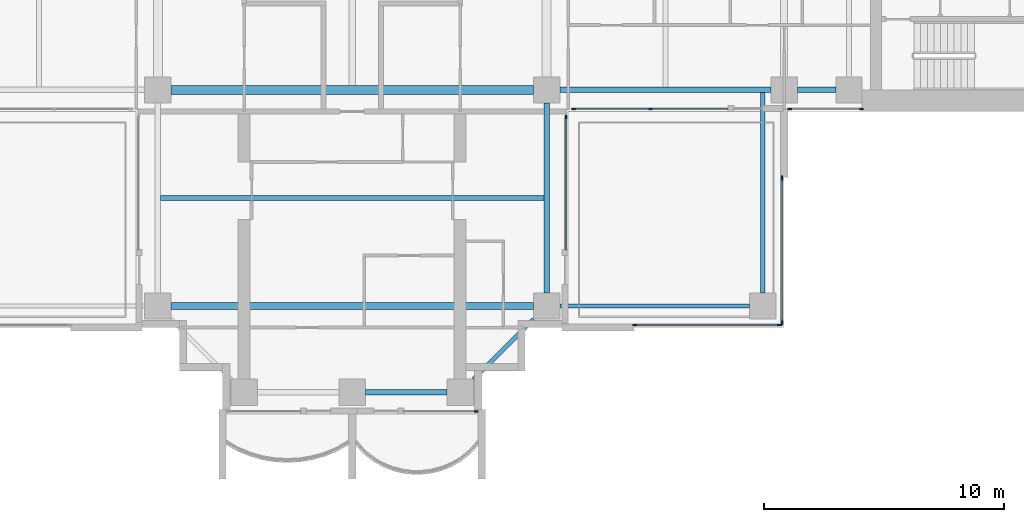
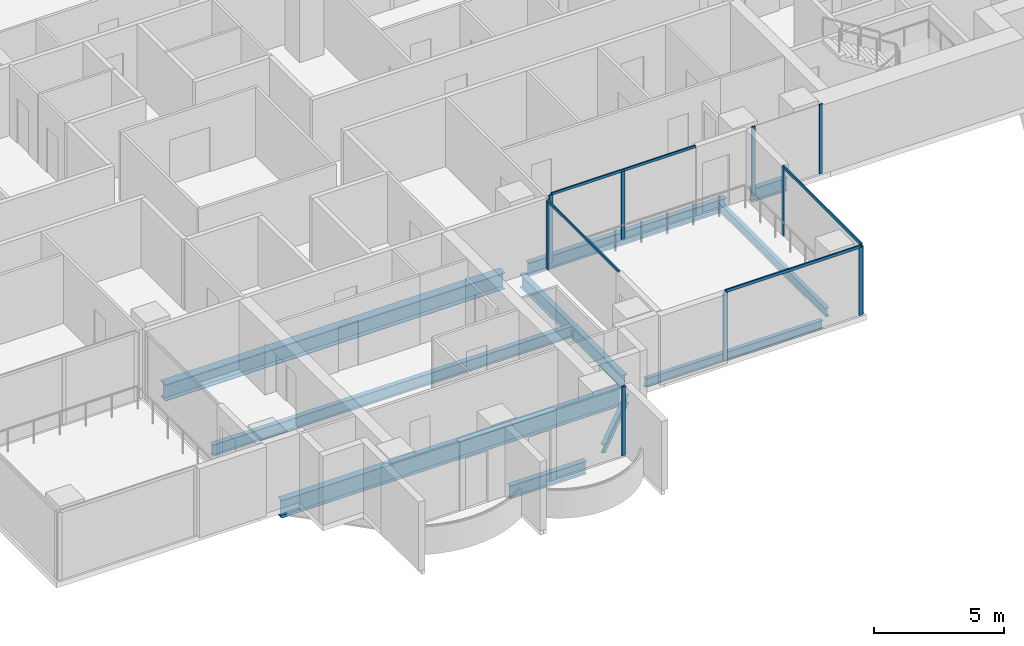
# One storey, part 3 of 19: 14 members, 10 beams, 6 elements without a shape of their own.
"""IFC4 building model written with IfcOpenShell, lengths in metres."""

from ifc_helpers import new_model, si_unit, direction, frame, origin, origin_2d, place, context, subcontext, project, spatial, rectangle, i_section, extrude, material, material_profile, profile_set, type_object, element, aggregate, save


model = new_model("IFC4")

# Units and contexts
model_context = context("Model", 3, precision=1e-05, world=origin(), true_north=direction((0.0, 1.0)))
body_context = subcontext(model_context, "Body", "Model", "MODEL_VIEW")
ifc_project = project(units=[si_unit("LENGTHUNIT", "METRE"), si_unit("AREAUNIT", "SQUARE_METRE"), si_unit("VOLUMEUNIT", "CUBIC_METRE"), si_unit("PLANEANGLEUNIT", "RADIAN"), si_unit("MASSUNIT", "GRAM", prefix="KILO")], contexts=[model_context])

# Site, building, storey
site_placement = place(None, origin())
site = spatial("IfcSite", under=ifc_project, at=site_placement, CompositionType="ELEMENT")
building_placement = place(site_placement, origin())
building = spatial("IfcBuilding", under=site, at=building_placement, Name="Perihelion Cross Residences", CompositionType="ELEMENT")
storey_placement = place(building_placement, frame((0.0, 0.0, 109.39990234375)))
storey = spatial("IfcBuildingStorey", under=building, at=storey_placement, Name="L25", CompositionType="ELEMENT", Elevation=109.39990234375)

# Curtain wall, member
ifc_material_1 = material(Name="Bronze anodised aluminium, tinted glazing", Category="aluminium")
curtain_wall_type_1 = type_object("IfcCurtainWallType", Name="CW1", PredefinedType="NOTDEFINED", material=ifc_material_1)
curtain_wall_1_placement = place(storey_placement, origin())
curtain_wall_1 = element("IfcCurtainWall", 1, at=curtain_wall_1_placement, inside=storey, type_object=curtain_wall_type_1, Name="Curtain wall CW1 L25 south tip south bay 2", PredefinedType="NOTDEFINED")
ifc_material_2 = material(Name="Bronze anodised aluminium", Category="aluminium")
ifc_material_profile_1 = material_profile(ifc_material_2, rectangle(XDim=0.06005859375, YDim=0.159912109375, at=origin_2d()), Name="CW1 mullion")
ifc_profile_set_1 = profile_set([ifc_material_profile_1], Name="Bronze anodised aluminium")
member_type_1 = type_object("IfcMemberType", Name="CW1 mullion", PredefinedType="MULLION", material=ifc_profile_set_1)
member_1_placement = place(storey_placement, frame((5.169921875, -21.5, 0.0), z_axis=(0.0, 0.0, 1.0), x_axis=(0.0, 1.0, 0.0)))
member_1 = element("IfcMember", 2, at=member_1_placement, type_object=member_type_1, Name="CW1 mullion 2", PredefinedType="MULLION", context=body_context, shape_type="SweptSolid", body=[
    extrude(rectangle(XDim=0.06005859375, YDim=0.159912109375, at=origin_2d()), origin(), (0.0, 0.0, 1.0), 3.25),
])
aggregate(curtain_wall_1, [member_1])

curtain_wall_2_placement = place(storey_placement, origin())
curtain_wall_2 = element("IfcCurtainWall", 3, at=curtain_wall_2_placement, inside=storey, type_object=curtain_wall_type_1, Name="Curtain wall CW1 L25 south side east bay 1", PredefinedType="NOTDEFINED")
member_2_placement = place(storey_placement, frame((8.89990234375, -9.22998046875, 0.0), z_axis=(0.0, 0.0, 1.0), x_axis=(-1.0, 0.0, 0.0)))
member_2 = element("IfcMember", 4, at=member_2_placement, type_object=member_type_1, Name="CW1 mullion 2", PredefinedType="MULLION", context=body_context, shape_type="SweptSolid", body=[
    extrude(rectangle(XDim=0.06005859375, YDim=0.159912109375, at=origin_2d()), origin(), (0.0, 0.0, 1.0), 3.190185546875),
])

# Curtain wall, members
curtain_wall_3_placement = place(storey_placement, origin())
curtain_wall_3 = element("IfcCurtainWall", 5, at=curtain_wall_3_placement, inside=storey, type_object=curtain_wall_type_1, Name="Curtain wall CW1 L25 east side south bay 1", PredefinedType="NOTDEFINED")
member_3_placement = place(storey_placement, frame((9.22998046875, -8.89990234375, 0.0), z_axis=(0.0, 0.0, 1.0), x_axis=(0.0, 1.0, 0.0)))
member_3 = element("IfcMember", 6, at=member_3_placement, type_object=member_type_1, Name="CW1 mullion 1", PredefinedType="MULLION", context=body_context, shape_type="SweptSolid", body=[
    extrude(rectangle(XDim=0.06005859375, YDim=0.159912109375, at=origin_2d()), origin(), (0.0, 0.0, 1.0), 3.190185546875),
])
member_4_placement = place(storey_placement, frame((12.425048828125, -8.89990234375, 0.0), z_axis=(0.0, 0.0, 1.0), x_axis=(0.0, 1.0, 0.0)))
member_4 = element("IfcMember", 7, at=member_4_placement, type_object=member_type_1, Name="CW1 mullion 2", PredefinedType="MULLION", context=body_context, shape_type="SweptSolid", body=[
    extrude(rectangle(XDim=0.06005859375, YDim=0.159912109375, at=origin_2d()), origin(), (0.0, 0.0, 1.0), 3.190185546875),
])

curtain_wall_4_placement = place(storey_placement, origin())
curtain_wall_4 = element("IfcCurtainWall", 8, at=curtain_wall_4_placement, inside=storey, type_object=curtain_wall_type_1, Name="Curtain wall CW1 L25 east side south bay 2", PredefinedType="NOTDEFINED")
member_5_placement = place(storey_placement, frame((18.22998046875, -8.89990234375, 0.0), z_axis=(0.0, 0.0, 1.0), x_axis=(0.0, 1.0, 0.0)))
member_5 = element("IfcMember", 9, at=member_5_placement, type_object=member_type_1, Name="CW1 mullion 1", PredefinedType="MULLION", context=body_context, shape_type="SweptSolid", body=[
    extrude(rectangle(XDim=0.06005859375, YDim=0.159912109375, at=origin_2d()), origin(), (0.0, 0.0, 1.0), 3.25),
])
member_6_placement = place(storey_placement, frame((21.219970703125, -8.89990234375, 0.0), z_axis=(0.0, 0.0, 1.0), x_axis=(0.0, 1.0, 0.0)))
member_6 = element("IfcMember", 10, at=member_6_placement, type_object=member_type_1, Name="CW1 mullion 2", PredefinedType="MULLION", context=body_context, shape_type="SweptSolid", body=[
    extrude(rectangle(XDim=0.06005859375, YDim=0.159912109375, at=origin_2d()), origin(), (0.0, 0.0, 1.0), 3.25),
])
aggregate(curtain_wall_4, [member_5, member_6])

# Member
ifc_material_3 = material(Name="Bronze anodised aluminium", Category="aluminium")
ifc_material_profile_2 = material_profile(ifc_material_3, rectangle(XDim=0.06005859375, YDim=0.1201171875, at=origin_2d()), Name="CW1 transom")
ifc_profile_set_2 = profile_set([ifc_material_profile_2], Name="Bronze anodised aluminium")
member_type_2 = type_object("IfcMemberType", Name="CW1 transom", PredefinedType="USERDEFINED", material=ifc_profile_set_2)
member_7_placement = place(storey_placement, frame((8.89990234375, -14.75, 3.22021484375), z_axis=(0.0, 1.0, 0.0), x_axis=(-1.0, 0.0, 0.0)))
member_7 = element("IfcMember", 11, at=member_7_placement, type_object=member_type_2, Name="CW1 head transom", ObjectType="TRANSOM", PredefinedType="USERDEFINED", context=body_context, shape_type="SweptSolid", body=[
    extrude(rectangle(XDim=0.06005859375, YDim=0.1201171875, at=origin_2d()), origin(), (0.0, 0.0, 1.0), 5.52001953125),
])

aggregate(curtain_wall_2, [member_2, member_7])

member_8_placement = place(storey_placement, frame((9.22998046875, -8.89990234375, 3.22021484375), z_axis=(1.0, 0.0, 0.0), x_axis=(0.0, 1.0, 0.0)))
member_8 = element("IfcMember", 12, at=member_8_placement, type_object=member_type_2, Name="CW1 head transom", ObjectType="TRANSOM", PredefinedType="USERDEFINED", context=body_context, shape_type="SweptSolid", body=[
    extrude(rectangle(XDim=0.06005859375, YDim=0.1201171875, at=origin_2d()), origin(), (0.0, 0.0, 1.0), 6.419921875),
])

aggregate(curtain_wall_3, [member_3, member_4, member_8])

# Curtain wall, members
ifc_material_4 = material(Name="Bronze anodised aluminium, tinted glazing", Category="aluminium")
curtain_wall_type_2 = type_object("IfcCurtainWallType", Name="CW4", PredefinedType="NOTDEFINED", material=ifc_material_4)
curtain_wall_5_placement = place(storey_placement, origin())
curtain_wall_5 = element("IfcCurtainWall", 13, at=curtain_wall_5_placement, inside=storey, type_object=curtain_wall_type_2, Name="Curtain wall CW4 L25 pocket south-east 1 1", PredefinedType="NOTDEFINED")
ifc_material_5 = material(Name="Bronze anodised aluminium", Category="aluminium")
ifc_material_profile_3 = material_profile(ifc_material_5, rectangle(XDim=0.06005859375, YDim=0.179931640625, at=origin_2d()), Name="CW4 mullion")
ifc_profile_set_3 = profile_set([ifc_material_profile_3], Name="Bronze anodised aluminium")
member_type_3 = type_object("IfcMemberType", Name="CW4 mullion", PredefinedType="MULLION", material=ifc_profile_set_3)
member_9_placement = place(storey_placement, frame((17.89990234375, -11.77001953125, 0.0), z_axis=(0.0, 0.0, 1.0), x_axis=(1.0, 0.0, 0.0)))
member_9 = element("IfcMember", 14, at=member_9_placement, type_object=member_type_3, Name="CW4 mullion 1", PredefinedType="MULLION", context=body_context, shape_type="SweptSolid", body=[
    extrude(rectangle(XDim=0.06005859375, YDim=0.179931640625, at=origin_2d()), origin(), (0.0, 0.0, 1.0), 3.190185546875),
])
member_10_placement = place(storey_placement, frame((17.89990234375, -17.800048828125, 0.0), z_axis=(0.0, 0.0, 1.0), x_axis=(1.0, 0.0, 0.0)))
member_10 = element("IfcMember", 15, at=member_10_placement, type_object=member_type_3, Name="CW4 mullion 2", PredefinedType="MULLION", context=body_context, shape_type="SweptSolid", body=[
    extrude(rectangle(XDim=0.06005859375, YDim=0.179931640625, at=origin_2d()), origin(), (0.0, 0.0, 1.0), 3.190185546875),
])

curtain_wall_6_placement = place(storey_placement, origin())
curtain_wall_6 = element("IfcCurtainWall", 16, at=curtain_wall_6_placement, inside=storey, type_object=curtain_wall_type_2, Name="Curtain wall CW4 L25 pocket south-east 1 2", PredefinedType="NOTDEFINED")
member_11_placement = place(storey_placement, frame((17.800048828125, -17.89990234375, 0.0), z_axis=(0.0, 0.0, 1.0), x_axis=(0.0, -1.0, 0.0)))
member_11 = element("IfcMember", 17, at=member_11_placement, type_object=member_type_3, Name="CW4 mullion 1", PredefinedType="MULLION", context=body_context, shape_type="SweptSolid", body=[
    extrude(rectangle(XDim=0.06005859375, YDim=0.179931640625, at=origin_2d()), origin(), (0.0, 0.0, 1.0), 3.190185546875),
])
member_12_placement = place(storey_placement, frame((11.77001953125, -17.89990234375, 0.0), z_axis=(0.0, 0.0, 1.0), x_axis=(0.0, -1.0, 0.0)))
member_12 = element("IfcMember", 18, at=member_12_placement, type_object=member_type_3, Name="CW4 mullion 2", PredefinedType="MULLION", context=body_context, shape_type="SweptSolid", body=[
    extrude(rectangle(XDim=0.06005859375, YDim=0.179931640625, at=origin_2d()), origin(), (0.0, 0.0, 1.0), 3.190185546875),
])

# Member
ifc_material_6 = material(Name="Bronze anodised aluminium", Category="aluminium")
ifc_material_profile_4 = material_profile(ifc_material_6, rectangle(XDim=0.06005859375, YDim=0.139892578125, at=origin_2d()), Name="CW4 transom")
ifc_profile_set_4 = profile_set([ifc_material_profile_4], Name="Bronze anodised aluminium")
member_type_4 = type_object("IfcMemberType", Name="CW4 transom", PredefinedType="USERDEFINED", material=ifc_profile_set_4)
member_13_placement = place(storey_placement, frame((17.89990234375, -11.77001953125, 3.22021484375), z_axis=(0.0, -1.0, 0.0), x_axis=(1.0, 0.0, 0.0)))
member_13 = element("IfcMember", 19, at=member_13_placement, type_object=member_type_4, Name="CW4 head transom", ObjectType="TRANSOM", PredefinedType="USERDEFINED", context=body_context, shape_type="SweptSolid", body=[
    extrude(rectangle(XDim=0.06005859375, YDim=0.139892578125, at=origin_2d()), origin(), (0.0, 0.0, 1.0), 6.030029296875),
])

aggregate(curtain_wall_5, [member_9, member_10, member_13])

member_14_placement = place(storey_placement, frame((17.800048828125, -17.89990234375, 3.22021484375), z_axis=(-1.0, 0.0, 0.0), x_axis=(0.0, -1.0, 0.0)))
member_14 = element("IfcMember", 20, at=member_14_placement, type_object=member_type_4, Name="CW4 head transom", ObjectType="TRANSOM", PredefinedType="USERDEFINED", context=body_context, shape_type="SweptSolid", body=[
    extrude(rectangle(XDim=0.06005859375, YDim=0.139892578125, at=origin_2d()), origin(), (0.0, 0.0, 1.0), 6.030029296875),
])

aggregate(curtain_wall_6, [member_11, member_12, member_14])

# Beams
ifc_material_7 = material(Name="Steel S355", Category="steel")
ifc_material_profile_5 = material_profile(ifc_material_7, i_section(OverallWidth=0.177978515625, OverallDepth=0.406005859375, WebThickness=0.0078125, FlangeThickness=0.0126953125, at=origin_2d()), Name="W410x60")
ifc_profile_set_5 = profile_set([ifc_material_profile_5], Name="Steel S355")
beam_type_1 = type_object("IfcBeamType", Name="Core edge beam W410x60", PredefinedType="BEAM", material=ifc_profile_set_5)
beam_1_placement = place(storey_placement, frame((17.10009765625, -8.214599609375, -0.452880859375), z_axis=(0.0, -1.0, 0.0), x_axis=(1.0, 0.0, 0.0)))
element("IfcBeam", 21, at=beam_1_placement, inside=storey, type_object=beam_type_1, Name="Core edge beam TB2 L25 corner no. 5", PredefinedType="BEAM", context=body_context, shape_type="SweptSolid", body=[
    extrude(i_section(OverallWidth=0.177978515625, OverallDepth=0.406005859375, WebThickness=0.0078125, FlangeThickness=0.0126953125, at=origin_2d()), origin(), (0.0, 0.0, 1.0), 8.33544921875),
])
beam_2_placement = place(storey_placement, frame((8.64990234375, -17.10009765625, -0.452880859375), z_axis=(1.0, 0.0, 0.0), x_axis=(0.0, 1.0, 0.0)))
element("IfcBeam", 22, at=beam_2_placement, inside=storey, type_object=beam_type_1, Name="Core edge beam TB2 L25 corner no. 6", PredefinedType="BEAM", context=body_context, shape_type="SweptSolid", body=[
    extrude(i_section(OverallWidth=0.177978515625, OverallDepth=0.406005859375, WebThickness=0.0078125, FlangeThickness=0.0126953125, at=origin_2d()), origin(), (0.0, 0.0, 1.0), 7.900146484375),
])
ifc_material_8 = material(Name="Steel S355", Category="steel")
ifc_material_profile_6 = material_profile(ifc_material_8, i_section(OverallWidth=0.22900390625, OverallDepth=0.612060546875, WebThickness=0.011962890625, FlangeThickness=0.01953125, at=origin_2d()), Name="W610x125")
ifc_profile_set_6 = profile_set([ifc_material_profile_6], Name="Steel S355")
beam_type_2 = type_object("IfcBeamType", Name="Edge beam W610x125", PredefinedType="SPANDREL", material=ifc_profile_set_6)
beam_3_placement = place(storey_placement, frame((0.550048828125, -20.699951171875, -0.555908203125), z_axis=(1.0, 0.0, 0.0), x_axis=(0.0, 1.0, 0.0)))
element("IfcBeam", 23, at=beam_3_placement, inside=storey, type_object=beam_type_2, Name="Edge beam SB3 L25 no. 9", PredefinedType="SPANDREL", context=body_context, shape_type="SweptSolid", body=[
    extrude(i_section(OverallWidth=0.22900390625, OverallDepth=0.612060546875, WebThickness=0.011962890625, FlangeThickness=0.01953125, at=origin_2d()), origin(), (0.0, 0.0, 1.0), 3.39990234375),
])
beam_4_placement = place(storey_placement, frame((8.10009765625, -16.550048828125, -0.555908203125), z_axis=(0.0, 1.0, 0.0), x_axis=(-1.0, 0.0, 0.0)))
element("IfcBeam", 24, at=beam_4_placement, inside=storey, type_object=beam_type_2, Name="Edge beam SB3 L25 no. 15", PredefinedType="SPANDREL", context=body_context, shape_type="SweptSolid", body=[
    extrude(i_section(OverallWidth=0.22900390625, OverallDepth=0.612060546875, WebThickness=0.011962890625, FlangeThickness=0.01953125, at=origin_2d()), origin(), (0.0, 0.0, 1.0), 7.900146484375),
])
beam_5_placement = place(storey_placement, frame((8.64990234375, -8.10009765625, -0.555908203125), z_axis=(1.0, 0.0, 0.0), x_axis=(0.0, 1.0, 0.0)))
element("IfcBeam", 25, at=beam_5_placement, inside=storey, type_object=beam_type_2, Name="Edge beam SB3 L25 no. 16", PredefinedType="SPANDREL", context=body_context, shape_type="SweptSolid", body=[
    extrude(i_section(OverallWidth=0.22900390625, OverallDepth=0.612060546875, WebThickness=0.011962890625, FlangeThickness=0.01953125, at=origin_2d()), origin(), (0.0, 0.0, 1.0), 8.800048828125),
])
beam_6_placement = place(storey_placement, frame((18.550048828125, -8.10009765625, -0.555908203125), z_axis=(1.0, 0.0, 0.0), x_axis=(0.0, 1.0, 0.0)))
element("IfcBeam", 26, at=beam_6_placement, inside=storey, type_object=beam_type_2, Name="Edge beam SB3 L25 no. 11", PredefinedType="SPANDREL", context=body_context, shape_type="SweptSolid", body=[
    extrude(i_section(OverallWidth=0.22900390625, OverallDepth=0.612060546875, WebThickness=0.011962890625, FlangeThickness=0.01953125, at=origin_2d()), origin(), (0.0, 0.0, 1.0), 1.599853515625),
])
ifc_material_9 = material(Name="Steel S355", Category="steel")
ifc_material_profile_7 = material_profile(ifc_material_9, i_section(OverallWidth=0.2919921875, OverallDepth=0.8359375, WebThickness=0.013916015625, FlangeThickness=0.018798828125, at=origin_2d()), Name="W840x176")
ifc_profile_set_7 = profile_set([ifc_material_profile_7], Name="Steel S355")
beam_type_3 = type_object("IfcBeamType", Name="Floor girder W840x176", PredefinedType="BEAM", material=ifc_profile_set_7)
beam_7_placement = place(storey_placement, frame((-7.550048828125, -17.10009765625, -0.66796875), z_axis=(1.0, 0.0, 0.0), x_axis=(0.0, 1.0, 0.0)))
element("IfcBeam", 27, at=beam_7_placement, inside=storey, type_object=beam_type_3, Name="Girder G3 L25 no. 3", PredefinedType="BEAM", context=body_context, shape_type="SweptSolid", body=[
    extrude(i_section(OverallWidth=0.2919921875, OverallDepth=0.8359375, WebThickness=0.013916015625, FlangeThickness=0.018798828125, at=origin_2d()), origin(), (0.0, 0.0, 1.0), 15.10009765625),
])
ifc_material_10 = material(Name="Steel S355", Category="steel")
ifc_material_profile_8 = material_profile(ifc_material_10, i_section(OverallWidth=0.208984375, OverallDepth=0.532958984375, WebThickness=0.01025390625, FlangeThickness=0.015625, at=origin_2d()), Name="W530x92")
ifc_profile_set_8 = profile_set([ifc_material_profile_8], Name="Steel S355")
beam_type_4 = type_object("IfcBeamType", Name="Floor joist W530x92", PredefinedType="JOIST", material=ifc_profile_set_8)
beam_8_placement = place(storey_placement, frame((-7.985595703125, -12.60009765625, -0.516357421875), z_axis=(1.0, 0.0, 0.0), x_axis=(0.0, 1.0, 0.0)))
element("IfcBeam", 28, at=beam_8_placement, inside=storey, type_object=beam_type_4, Name="Joist J4 L25 no. 3", PredefinedType="JOIST", context=body_context, shape_type="SweptSolid", body=[
    extrude(i_section(OverallWidth=0.208984375, OverallDepth=0.532958984375, WebThickness=0.01025390625, FlangeThickness=0.015625, at=origin_2d()), origin(), (0.0, 0.0, 1.0), 15.97119140625),
])
ifc_material_11 = material(Name="Steel S355", Category="steel")
ifc_material_profile_9 = material_profile(ifc_material_11, i_section(OverallWidth=0.381103515625, OverallDepth=0.77197265625, WebThickness=0.0166015625, FlangeThickness=0.027099609375, at=origin_2d()), Name="W760x257")
ifc_profile_set_9 = profile_set([ifc_material_profile_9], Name="Steel S355")
beam_type_5 = type_object("IfcBeamType", Name="Hub ring girder W760x257", PredefinedType="BEAM", material=ifc_profile_set_9)
beam_9_placement = place(storey_placement, frame((-7.550048828125, -8.10009765625, -0.635986328125), z_axis=(1.0, 0.0, 0.0), x_axis=(0.0, 1.0, 0.0)))
element("IfcBeam", 29, at=beam_9_placement, inside=storey, type_object=beam_type_5, Name="Hub ring girder RG3 L25 no. 1", PredefinedType="BEAM", context=body_context, shape_type="SweptSolid", body=[
    extrude(i_section(OverallWidth=0.381103515625, OverallDepth=0.77197265625, WebThickness=0.0166015625, FlangeThickness=0.027099609375, at=origin_2d()), origin(), (0.0, 0.0, 1.0), 15.10009765625),
])
ifc_material_12 = material(Name="Steel S355", Category="steel")
ifc_material_profile_10 = material_profile(ifc_material_12, i_section(OverallWidth=0.180908203125, OverallDepth=0.4169921875, WebThickness=0.010986328125, FlangeThickness=0.018310546875, at=origin_2d()), Name="W410x85")
ifc_profile_set_10 = profile_set([ifc_material_profile_10], Name="Steel S355")
beam_type_6 = type_object("IfcBeamType", Name="Serration edge beam W410x85", PredefinedType="BEAM", material=ifc_profile_set_10)
beam_10_placement = place(storey_placement, frame((5.050048828125, -20.14990234375, -0.45849609375), z_axis=(0.707106781187, 0.707106781187, 0.0), x_axis=(-0.707106781187, 0.707106781187, 0.0)))
element("IfcBeam", 30, at=beam_10_placement, inside=storey, type_object=beam_type_6, Name="Serration edge beam EB3 L25 no. 3", PredefinedType="BEAM", context=body_context, shape_type="SweptSolid", body=[
    extrude(i_section(OverallWidth=0.180908203125, OverallDepth=0.4169921875, WebThickness=0.010986328125, FlangeThickness=0.018310546875, at=origin_2d()), origin(), (0.0, 0.0, 1.0), 3.53564453125),
])

save(model, "model.ifc")
